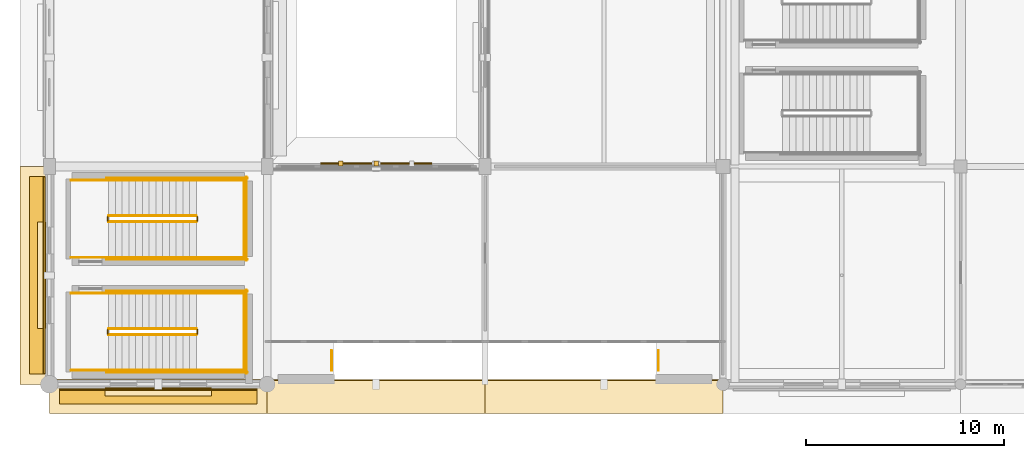
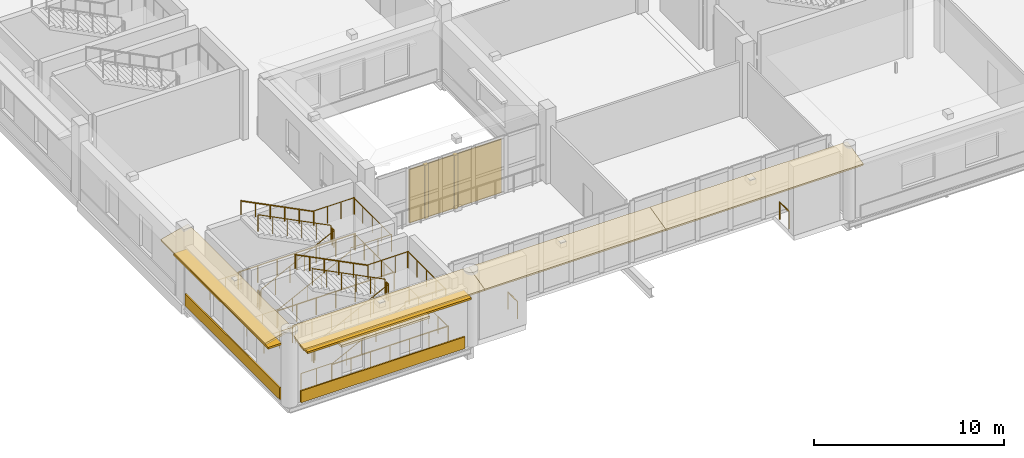
# One storey, part 117 of 143: 30 railings, 10 coverings, 3 shading devices.
"""IFC4 building model written with IfcOpenShell, lengths in metres."""

import ifcopenshell
import ifcopenshell.guid

model = None  # the IFC model being written
_history = None  # IfcOwnerHistory: only IFC2X3 demands one
_inside = {}  # id of a spatial element -> (the spatial element, [elements in it])
_under = {}  # id of a project, library or spatial element -> (it, [spatial elements below it])
_declared = {}  # id of a project -> (the project, [libraries it declares])
_typed = {}  # id of a type object -> (the type object, [elements of that type])
_made_of = {}  # id of a material, layer set ... -> (it, [elements and type objects made of it])


def new_model(schema):
    """Start an empty IFC model of exactly this schema.

    Asked for "IFC4X3", IfcOpenShell would pick the latest addendum, in which some entities
    have other attributes; the version numbers below select the first issue.
    IFC2X3 requires an IfcOwnerHistory on every rooted entity: one is made here for all.
    """
    global model, _history
    if schema == "IFC4X3":
        model = ifcopenshell.file(schema_version=(4, 3, 0, 0))
    else:
        model = ifcopenshell.file(schema=schema)
    _inside.clear()
    _under.clear()
    _declared.clear()
    _typed.clear()
    _made_of.clear()
    _history = None
    if model.schema == "IFC2X3":
        org = make("IfcOrganization", Name="unknown")
        user = make(
            "IfcPersonAndOrganization",
            ThePerson=make("IfcPerson", FamilyName="unknown"),
            TheOrganization=org,
        )
        app = make(
            "IfcApplication",
            ApplicationDeveloper=org,
            Version="unknown",
            ApplicationFullName="unknown",
            ApplicationIdentifier="unknown",
        )
        _history = make(
            "IfcOwnerHistory",
            OwningUser=user,
            OwningApplication=app,
            ChangeAction="ADDED",
            CreationDate=0,
        )
    return model


def make(cls, **values):
    """One entity of the class cls with the attributes given. An attribute that is None is left unset."""
    return model.create_entity(
        cls, **{name: value for name, value in values.items() if value is not None}
    )


def rooted(cls, **values):
    """An entity with a GlobalId (a new one), such as an element, a storey or a relation."""
    return make(cls, GlobalId=ifcopenshell.guid.new(), OwnerHistory=_history, **values)


def si_unit(unit_type, name, prefix=None):
    """IfcSIUnit, for example si_unit("LENGTHUNIT", "METRE", prefix="MILLI")."""
    return make("IfcSIUnit", UnitType=unit_type, Prefix=prefix, Name=name)


def assignment(units):
    """IfcUnitAssignment: the units of a project."""
    return None if units is None else make("IfcUnitAssignment", Units=units)


def point(xyz):
    """IfcCartesianPoint."""
    return None if xyz is None else make("IfcCartesianPoint", Coordinates=xyz)


def direction(xyz):
    """IfcDirection."""
    return None if xyz is None else make("IfcDirection", DirectionRatios=xyz)


def frame(location, z_axis=None, x_axis=None):
    """IfcAxis2Placement3D, a coordinate frame: its origin and axes. An axis left out is left unset."""
    return make(
        "IfcAxis2Placement3D",
        Location=point(location),
        Axis=direction(z_axis),
        RefDirection=direction(x_axis),
    )


def frame_2d(location, x_axis=None):
    """IfcAxis2Placement2D, a coordinate frame in the plane: its origin and x axis."""
    return make(
        "IfcAxis2Placement2D", Location=point(location), RefDirection=direction(x_axis)
    )


def origin():
    """The frame at (0, 0, 0) with its axes left unset."""
    return frame((0.0, 0.0, 0.0))


def origin_2d():
    """The frame at (0, 0) in the plane with its x axis left unset."""
    return frame_2d((0.0, 0.0))


def place(relative_to, where):
    """IfcLocalPlacement: puts the frame where relative to a parent placement (None: the world)."""
    return make(
        "IfcLocalPlacement", PlacementRelTo=relative_to, RelativePlacement=where
    )


def context(
    kind, dimensions, precision=None, world=None, true_north=None, identifier=None
):
    """IfcGeometricRepresentationContext, for example the 3D "Model" context."""
    return make(
        "IfcGeometricRepresentationContext",
        ContextIdentifier=identifier,
        ContextType=kind,
        CoordinateSpaceDimension=dimensions,
        Precision=precision,
        WorldCoordinateSystem=world,
        TrueNorth=true_north,
    )


def subcontext(parent, identifier, kind, view, scale=None):
    """IfcGeometricRepresentationSubContext, for example "Body" below "Model"."""
    return make(
        "IfcGeometricRepresentationSubContext",
        ContextIdentifier=identifier,
        ContextType=kind,
        ParentContext=parent,
        TargetScale=scale,
        TargetView=view,
    )


def project(units=None, contexts=None):
    """IfcProject with its units and contexts."""
    return rooted(
        "IfcProject",
        Name="project",
        RepresentationContexts=contexts,
        UnitsInContext=assignment(units),
    )


def spatial(cls, under=None, at=None, **own):
    """A site, building, storey or space (cls), placed at a placement, below another one or the project."""
    s = rooted(cls, ObjectPlacement=at, **own)
    if under is not None:
        _under.setdefault(under.id(), (under, []))[1].append(s)
    return s


def polyline(points):
    """IfcPolyline through the points."""
    return make("IfcPolyline", Points=[point(p) for p in points])


def profile(cls, at=None, kind="AREA", **sizes):
    """A parametric profile (cls). Its sizes go by their IFC names, for example OverallWidth=200.0."""
    return make(cls, ProfileType=kind, Position=at, **sizes)


def rectangle(**sizes):
    """IfcRectangleProfileDef."""
    return profile("IfcRectangleProfileDef", **sizes)


def circle(**sizes):
    """IfcCircleProfileDef."""
    return profile("IfcCircleProfileDef", **sizes)


def outline(outer, holes=None, kind="AREA"):
    """IfcArbitraryClosedProfileDef: a profile drawn as a closed curve; with holes, ...WithVoids."""
    if holes is None:
        return make("IfcArbitraryClosedProfileDef", ProfileType=kind, OuterCurve=outer)
    return make(
        "IfcArbitraryProfileDefWithVoids",
        ProfileType=kind,
        OuterCurve=outer,
        InnerCurves=holes,
    )


def extrude(swept, where, along, depth):
    """IfcExtrudedAreaSolid: the profile swept, set in the frame where, extruded along a direction by depth."""
    return make(
        "IfcExtrudedAreaSolid",
        SweptArea=swept,
        Position=where,
        ExtrudedDirection=direction(along),
        Depth=depth,
    )


def shape(context_of_items, identifier, shape_type, items):
    """IfcShapeRepresentation: the items that make up one representation, for example the "Body"."""
    return make(
        "IfcShapeRepresentation",
        ContextOfItems=context_of_items,
        RepresentationIdentifier=identifier,
        RepresentationType=shape_type,
        Items=items,
    )


def material(Name=None, Category=None):
    """IfcMaterial."""
    return make("IfcMaterial", Name=Name, Category=Category)


def layer(
    of_material, thickness, ventilated=None, Name=None, Category=None, Priority=None
):
    """IfcMaterialLayer: one layer of a wall or slab, of a material (None: an air gap)."""
    return make(
        "IfcMaterialLayer",
        Material=of_material,
        LayerThickness=thickness,
        IsVentilated=ventilated,
        Name=Name,
        Category=Category,
        Priority=Priority,
    )


def layer_set(layers, Name=None):
    """IfcMaterialLayerSet."""
    return make("IfcMaterialLayerSet", MaterialLayers=layers, LayerSetName=Name)


def made_of(thing, what):
    """Note that an element or type object is made of a material, layer set ...; save() writes the relation."""
    if what is not None:
        _made_of.setdefault(what.id(), (what, []))[1].append(thing)
    return thing


def type_object(cls, material=None, **own):
    """A type object (cls), such as IfcWallType, which elements share."""
    return made_of(rooted(cls, **own), material)


def element(
    cls,
    number,
    at=None,
    inside=None,
    cuts=None,
    type_object=None,
    material=None,
    context=None,
    identifier="Body",
    shape_type=None,
    held_by="IfcProductDefinitionShape",
    body=None,
    shapes=None,
    **own,
):
    """One element of the class cls, such as IfcWall. Its Tag is "e" and its number.

    at: its placement. inside: the storey or other place that contains it. cuts: it is an
    opening in that element (IfcRelVoidsElement). A single representation is given by context,
    identifier, shape_type and body (its items); several are given by shapes. held_by: the class
    of the entity that holds the representations. save() writes the other relations.
    """
    e = rooted(cls, Tag="e%d" % number, ObjectPlacement=at, **own)
    if body is not None:
        shapes = [shape(context, identifier, shape_type, body)]
    if shapes is not None:
        e.Representation = make(held_by, Representations=shapes)
    if inside is not None:
        _inside.setdefault(inside.id(), (inside, []))[1].append(e)
    if cuts is not None:
        rooted(
            "IfcRelVoidsElement", RelatingBuildingElement=cuts, RelatedOpeningElement=e
        )
    if type_object is not None:
        _typed.setdefault(type_object.id(), (type_object, []))[1].append(e)
    return made_of(e, material)


def aggregate(whole, parts):
    """IfcRelAggregates: a whole, such as a stair, and the parts it consists of."""
    return rooted("IfcRelAggregates", RelatingObject=whole, RelatedObjects=parts)


def save(model, path):
    """Write the relations noted so far, then the file.

    IfcRelAggregates (storeys below a building ...), IfcRelContainedInSpatialStructure (elements
    in a storey), IfcRelDefinesByType, IfcRelAssociatesMaterial and IfcRelDeclares: one each for
    every whole, place, type object, material and project.
    """
    for whole, parts in _under.values():
        aggregate(whole, parts)
    for where, things in _inside.values():
        rooted(
            "IfcRelContainedInSpatialStructure",
            RelatedElements=things,
            RelatingStructure=where,
        )
    for kind, things in _typed.values():
        rooted("IfcRelDefinesByType", RelatedObjects=things, RelatingType=kind)
    for what, things in _made_of.values():
        rooted("IfcRelAssociatesMaterial", RelatedObjects=things, RelatingMaterial=what)
    for by, libraries in _declared.values():
        rooted("IfcRelDeclares", RelatingContext=by, RelatedDefinitions=libraries)
    model.write(path)


model = new_model("IFC4")

# Units and contexts
model_context = context("Model", 3, precision=1e-05, world=origin(), true_north=direction((0.0, 1.0)))
body_context = subcontext(model_context, "Body", "Model", "MODEL_VIEW")
ifc_project = project(units=[si_unit("LENGTHUNIT", "METRE"), si_unit("AREAUNIT", "SQUARE_METRE"), si_unit("VOLUMEUNIT", "CUBIC_METRE"), si_unit("PLANEANGLEUNIT", "RADIAN"), si_unit("MASSUNIT", "GRAM", prefix="KILO")], contexts=[model_context])

# Site, building, storey
site_placement = place(None, origin())
site = spatial("IfcSite", under=ifc_project, at=site_placement, CompositionType="ELEMENT")
building_placement = place(site_placement, origin())
building = spatial("IfcBuilding", under=site, at=building_placement, Name="Luwafu Chhajja Arena", CompositionType="ELEMENT")
storey_placement = place(building_placement, frame((0.0, 0.0, 5.39990234375)))
storey = spatial("IfcBuildingStorey", under=building, at=storey_placement, Name="L01", CompositionType="ELEMENT", Elevation=5.39990234375)

# Coverings
ifc_material_1 = material(Name="Red laterite sandstone cladding", Category="masonry")
ifc_layer_1 = layer(ifc_material_1, 0.074951171875, Name="Red laterite sandstone cladding")
ifc_layer_set_1 = layer_set([ifc_layer_1], Name="Red laterite sandstone cladding")
covering_type = type_object("IfcCoveringType", Name="Dressed Red-Laterite Sandstone Cladding", PredefinedType="CLADDING", material=ifc_layer_set_1)
covering_1_placement = place(storey_placement, frame((0.0, 0.199951171875, 4.760009765625), z_axis=(0.0, -0.242502450825, 0.970150793096), x_axis=(1.0, 0.0, 0.0)))
element("IfcCovering", 1, at=covering_1_placement, inside=storey, type_object=covering_type, Name="L01 Continuous Sloped Sandstone Chhajja Eave 0057", PredefinedType="CLADDING", context=body_context, shape_type="SweptSolid", body=[
    extrude(outline(polyline([(0.0, 0.0), (11.0, 0.0), (11.0, -1.731619097341133), (0.0, -1.731619097341133), (0.0, 0.0)])), origin(), (0.0, 0.0, -1.0), 0.1298828125),
])
covering_2_placement = place(storey_placement, frame((5.5, -0.257080078125, 0.0), z_axis=(0.0, 0.0, 1.0), x_axis=(1.0, 0.0, 0.0)))
element("IfcCovering", 2, at=covering_2_placement, inside=storey, type_object=covering_type, Name="L01 Red-Laterite Sandstone Plinth Cladding 001", PredefinedType="CLADDING", context=body_context, shape_type="SweptSolid", body=[
    extrude(rectangle(XDim=9.9599609375, YDim=0.0849609375, at=origin_2d()), origin(), (0.0, 0.0, 1.0), 0.760009765625),
])
covering_3_placement = place(storey_placement, frame((5.5, -0.385009765625, 2.93017578125), z_axis=(0.0, 0.0, 1.0), x_axis=(1.0, 0.0, 0.0)))
element("IfcCovering", 3, at=covering_3_placement, inside=storey, type_object=covering_type, Name="L01 Mughal Sandstone Window Chhajja Hood 0001", PredefinedType="CLADDING", context=body_context, shape_type="SweptSolid", body=[
    extrude(rectangle(XDim=5.3701171875, YDim=0.419921875, at=origin_2d()), origin(), (0.0, 0.0, 1.0), 0.139892578125),
])
covering_4_placement = place(storey_placement, frame((0.199951171875, 0.0, 4.760009765625), z_axis=(-0.242502450825, 0.0, 0.970150793096), x_axis=(0.0, 1.0, 0.0)))
element("IfcCovering", 4, at=covering_4_placement, inside=storey, type_object=covering_type, Name="L01 Continuous Sloped Sandstone Chhajja Eave 0058", PredefinedType="CLADDING", context=body_context, shape_type="SweptSolid", body=[
    extrude(outline(polyline([(0.0, 0.0), (11.0, 0.0), (11.0, 1.731619097341133), (0.0, 1.731619097341133), (0.0, 0.0)])), origin(), (0.0, 0.0, -1.0), 0.1298828125),
])
covering_5_placement = place(storey_placement, frame((-0.257080078125, 5.5, 0.0), z_axis=(0.0, 0.0, 1.0), x_axis=(0.0, 1.0, 0.0)))
element("IfcCovering", 5, at=covering_5_placement, inside=storey, type_object=covering_type, Name="L01 Red-Laterite Sandstone Plinth Cladding 002", PredefinedType="CLADDING", context=body_context, shape_type="SweptSolid", body=[
    extrude(rectangle(XDim=9.9599609375, YDim=0.0849609375, at=origin_2d()), origin(), (0.0, 0.0, 1.0), 0.760009765625),
])
covering_6_placement = place(storey_placement, frame((-0.385009765625, 5.5, 2.93017578125), z_axis=(0.0, 0.0, 1.0), x_axis=(0.0, 1.0, 0.0)))
element("IfcCovering", 6, at=covering_6_placement, inside=storey, type_object=covering_type, Name="L01 Mughal Sandstone Window Chhajja Hood 0002", PredefinedType="CLADDING", context=body_context, shape_type="SweptSolid", body=[
    extrude(rectangle(XDim=5.3701171875, YDim=0.419921875, at=origin_2d()), origin(), (0.0, 0.0, 1.0), 0.139892578125),
])
covering_7_placement = place(storey_placement, frame((11.0, 0.199951171875, 4.760009765625), z_axis=(0.0, -0.242502450825, 0.970150793096), x_axis=(1.0, 0.0, 0.0)))
element("IfcCovering", 7, at=covering_7_placement, inside=storey, type_object=covering_type, Name="L01 Continuous Sloped Sandstone Chhajja Eave 0072", PredefinedType="CLADDING", context=body_context, shape_type="SweptSolid", body=[
    extrude(outline(polyline([(0.0, 0.0), (11.0, 0.0), (11.0, -1.731619097341133), (0.0, -1.731619097341133), (0.0, 0.0)])), origin(), (0.0, 0.0, -1.0), 0.1298828125),
])
for number, where, z_axis, x_axis, name in (
    (8, (14.7080078125, 11.14990234375, 0.000244140625), (0.0, 0.0, 1.0), (1.0, 0.0, 0.0), "L01 Sandstone Jali Mullion Fin 006"),
    (9, (16.5, 11.14990234375, 0.000244140625), (0.0, 0.0, 1.0), (1.0, 0.0, 0.0), "L01 Sandstone Jali Mullion Fin 006"),
):
    element("IfcCovering", number, at=place(storey_placement, frame(where, z_axis=z_axis, x_axis=x_axis)), inside=storey, type_object=covering_type, Name=name, PredefinedType="CLADDING", context=body_context, shape_type="SweptSolid", body=[
        extrude(rectangle(XDim=0.219970703125, YDim=0.239990234375, at=origin_2d()), origin(), (0.0, 0.0, 1.0), 3.43994140625),
    ])
covering_8_placement = place(storey_placement, frame((22.0, 0.199951171875, 4.760009765625), z_axis=(0.0, -0.242502450825, 0.970150793096), x_axis=(1.0, 0.0, 0.0)))
element("IfcCovering", 10, at=covering_8_placement, inside=storey, type_object=covering_type, Name="L01 Continuous Sloped Sandstone Chhajja Eave 0078", PredefinedType="CLADDING", context=body_context, shape_type="SweptSolid", body=[
    extrude(outline(polyline([(0.0, 0.0), (12.0, 0.0), (12.0, -1.731619097341133), (0.0, -1.731619097341133), (0.0, 0.0)])), origin(), (0.0, 0.0, -1.0), 0.1298828125),
])

# Shading devices
ifc_material_2 = material(Name="Pierced buff sandstone jali", Category="masonry")
ifc_layer_2 = layer(ifc_material_2, 0.080078125, Name="Pierced buff sandstone jali")
ifc_layer_set_2 = layer_set([ifc_layer_2], Name="Pierced buff sandstone jali")
shading_device_type_1 = type_object("IfcShadingDeviceType", Name="Pierced Buff-Sandstone Jali Screen", PredefinedType="JALOUSIE", material=ifc_layer_set_2)
shading_device_placement = place(storey_placement, frame((16.5, 11.14990234375, 0.000244140625), z_axis=(0.0, 0.0, 1.0), x_axis=(1.0, 0.0, 0.0)))
element("IfcShadingDevice", 11, at=shading_device_placement, inside=storey, type_object=shading_device_type_1, Name="L01 Pierced Buff-Sandstone Jali Screen 006", PredefinedType="JALOUSIE", context=body_context, shape_type="SweptSolid", body=[
    extrude(rectangle(XDim=5.60009765625, YDim=0.080078125, at=origin_2d()), origin(), (0.0, 0.0, 1.0), 3.43994140625),
])
ifc_material_3 = material(Name="Red laterite sandstone chhajja", Category="masonry")
ifc_layer_3 = layer(ifc_material_3, 0.1201171875, Name="Red laterite sandstone chhajja")
ifc_layer_set_3 = layer_set([ifc_layer_3], Name="Red laterite sandstone chhajja")
shading_device_type_2 = type_object("IfcShadingDeviceType", Name="Sloped Red-Sandstone Chhajja Eave", PredefinedType="USERDEFINED", material=ifc_layer_set_3)
for number, where, z_axis, x_axis, name in (
    (12, (5.5, -0.5849609375, 3.570068359375), (0.0, 0.0, 1.0), (1.0, 0.0, 0.0), "L01 Sloped Red-Sandstone Chhajja Eave 031"),
    (13, (-0.5849609375, 5.5, 3.469970703125), (0.0, 0.0, 1.0), (0.0, 1.0, 0.0), "L01 Sloped Red-Sandstone Chhajja Eave 032"),
):
    element("IfcShadingDevice", number, at=place(storey_placement, frame(where, z_axis=z_axis, x_axis=x_axis)), inside=storey, type_object=shading_device_type_2, Name=name, ObjectType="CHHAJJA", PredefinedType="USERDEFINED", context=body_context, shape_type="SweptSolid", body=[
        extrude(rectangle(XDim=9.9599609375, YDim=0.820068359375, at=origin_2d()), origin(), (0.0, 0.0, 1.0), 0.1201171875),
    ])

# Railings
ifc_material_4 = material(Name="Stainless steel handrail", Category="steel")
railing_type_1 = type_object("IfcRailingType", Name="Stair Pitch Wall Handrail 920", PredefinedType="HANDRAIL", material=ifc_material_4)
railing_1_placement = place(storey_placement, frame((3.0, 0.699951171875, 0.171630859375)))
element("IfcRailing", 14, at=railing_1_placement, inside=storey, type_object=railing_type_1, Name="L01 ST-17 stair handrail 1", PredefinedType="HANDRAIL", context=body_context, shape_type="SweptSolid", body=[
    extrude(circle(Radius=0.02392578125, at=origin_2d()), frame((0.0, 0.0, 0.8759765625), z_axis=(0.89292277971, 0.0, 0.450209850486), x_axis=(0.0, 1.0, 0.0)), (0.0, 0.0, 1.0), 4.949951171875),
    extrude(circle(Radius=0.02099609375, at=origin_2d()), origin(), (0.0, 0.0, 1.0), 0.851806640625),
    extrude(circle(Radius=0.02099609375, at=origin_2d()), frame((0.884033203125, 0.0, 0.44580078125)), (0.0, 0.0, 1.0), 0.851806640625),
    extrude(circle(Radius=0.02099609375, at=origin_2d()), frame((1.76806640625, 0.0, 0.891357421875)), (0.0, 0.0, 1.0), 0.851806640625),
    extrude(circle(Radius=0.02099609375, at=origin_2d()), frame((2.65185546875, 0.0, 1.337158203125)), (0.0, 0.0, 1.0), 0.851806640625),
    extrude(circle(Radius=0.02099609375, at=origin_2d()), frame((3.535888671875, 0.0, 1.78271484375)), (0.0, 0.0, 1.0), 0.851806640625),
    extrude(circle(Radius=0.02099609375, at=origin_2d()), frame((4.419921875, 0.0, 2.228515625)), (0.0, 0.0, 1.0), 0.851806640625),
])
railing_2_placement = place(storey_placement, frame((7.419921875, 4.60009765625, 2.571533203125)))
element("IfcRailing", 15, at=railing_2_placement, inside=storey, type_object=railing_type_1, Name="L01 ST-17 stair handrail 2", PredefinedType="HANDRAIL", context=body_context, shape_type="SweptSolid", body=[
    extrude(circle(Radius=0.02392578125, at=origin_2d()), frame((0.0, 0.0, 0.8759765625), z_axis=(-0.89292277971, 0.0, 0.450209850486), x_axis=(0.0, -1.0, 0.0)), (0.0, 0.0, 1.0), 4.949951171875),
    extrude(circle(Radius=0.02099609375, at=origin_2d()), origin(), (0.0, 0.0, 1.0), 0.851806640625),
    extrude(circle(Radius=0.02099609375, at=origin_2d()), frame((-0.884033203125, 0.0, 0.44580078125)), (0.0, 0.0, 1.0), 0.851806640625),
    extrude(circle(Radius=0.02099609375, at=origin_2d()), frame((-1.76806640625, 0.0, 0.891357421875)), (0.0, 0.0, 1.0), 0.851806640625),
    extrude(circle(Radius=0.02099609375, at=origin_2d()), frame((-2.65185546875, 0.0, 1.337158203125)), (0.0, 0.0, 1.0), 0.851806640625),
    extrude(circle(Radius=0.02099609375, at=origin_2d()), frame((-3.535888671875, 0.0, 1.78271484375)), (0.0, 0.0, 1.0), 0.851806640625),
    extrude(circle(Radius=0.02099609375, at=origin_2d()), frame((-4.419921875, 0.0, 2.228515625)), (0.0, 0.0, 1.0), 0.851806640625),
])
railing_3_placement = place(storey_placement, frame((3.0, 6.39990234375, 0.171630859375)))
element("IfcRailing", 16, at=railing_3_placement, inside=storey, type_object=railing_type_1, Name="L01 ST-18 stair handrail 1", PredefinedType="HANDRAIL", context=body_context, shape_type="SweptSolid", body=[
    extrude(circle(Radius=0.02392578125, at=origin_2d()), frame((0.0, 0.0, 0.8759765625), z_axis=(0.89292277971, 0.0, 0.450209850486), x_axis=(0.0, 1.0, 0.0)), (0.0, 0.0, 1.0), 4.949951171875),
    extrude(circle(Radius=0.02099609375, at=origin_2d()), origin(), (0.0, 0.0, 1.0), 0.851806640625),
    extrude(circle(Radius=0.02099609375, at=origin_2d()), frame((0.884033203125, 0.0, 0.44580078125)), (0.0, 0.0, 1.0), 0.851806640625),
    extrude(circle(Radius=0.02099609375, at=origin_2d()), frame((1.76806640625, 0.0, 0.891357421875)), (0.0, 0.0, 1.0), 0.851806640625),
    extrude(circle(Radius=0.02099609375, at=origin_2d()), frame((2.65185546875, 0.0, 1.337158203125)), (0.0, 0.0, 1.0), 0.851806640625),
    extrude(circle(Radius=0.02099609375, at=origin_2d()), frame((3.535888671875, 0.0, 1.78271484375)), (0.0, 0.0, 1.0), 0.851806640625),
    extrude(circle(Radius=0.02099609375, at=origin_2d()), frame((4.419921875, 0.0, 2.228515625)), (0.0, 0.0, 1.0), 0.851806640625),
])
railing_4_placement = place(storey_placement, frame((7.419921875, 10.300048828125, 2.571533203125)))
element("IfcRailing", 17, at=railing_4_placement, inside=storey, type_object=railing_type_1, Name="L01 ST-18 stair handrail 2", PredefinedType="HANDRAIL", context=body_context, shape_type="SweptSolid", body=[
    extrude(circle(Radius=0.02392578125, at=origin_2d()), frame((0.0, 0.0, 0.8759765625), z_axis=(-0.89292277971, 0.0, 0.450209850486), x_axis=(0.0, -1.0, 0.0)), (0.0, 0.0, 1.0), 4.949951171875),
    extrude(circle(Radius=0.02099609375, at=origin_2d()), origin(), (0.0, 0.0, 1.0), 0.851806640625),
    extrude(circle(Radius=0.02099609375, at=origin_2d()), frame((-0.884033203125, 0.0, 0.44580078125)), (0.0, 0.0, 1.0), 0.851806640625),
    extrude(circle(Radius=0.02099609375, at=origin_2d()), frame((-1.76806640625, 0.0, 0.891357421875)), (0.0, 0.0, 1.0), 0.851806640625),
    extrude(circle(Radius=0.02099609375, at=origin_2d()), frame((-2.65185546875, 0.0, 1.337158203125)), (0.0, 0.0, 1.0), 0.851806640625),
    extrude(circle(Radius=0.02099609375, at=origin_2d()), frame((-3.535888671875, 0.0, 1.78271484375)), (0.0, 0.0, 1.0), 0.851806640625),
    extrude(circle(Radius=0.02099609375, at=origin_2d()), frame((-4.419921875, 0.0, 2.228515625)), (0.0, 0.0, 1.0), 0.851806640625),
])
ifc_material_5 = material(Name="Stainless steel balustrade", Category="steel")
railing_type_2 = type_object("IfcRailingType", Name="Stair and Terrace Guard Balustrade 1100", PredefinedType="BALUSTRADE", material=ifc_material_5)
railing_5_placement = place(storey_placement, frame((3.0, 2.5, 0.171630859375)))
element("IfcRailing", 18, at=railing_5_placement, inside=storey, type_object=railing_type_2, Name="L01 ST-17 stair guard 1", PredefinedType="BALUSTRADE", context=body_context, shape_type="SweptSolid", body=[
    extrude(circle(Radius=0.02392578125, at=origin_2d()), frame((0.0, 0.0, 1.076171875), z_axis=(0.89292277971, 0.0, 0.450209850486), x_axis=(0.0, 1.0, 0.0)), (0.0, 0.0, 1.0), 4.949951171875),
    extrude(circle(Radius=0.02099609375, at=origin_2d()), origin(), (0.0, 0.0, 1.0), 1.052001953125),
    extrude(circle(Radius=0.02099609375, at=origin_2d()), frame((0.884033203125, 0.0, 0.44580078125)), (0.0, 0.0, 1.0), 1.052001953125),
    extrude(circle(Radius=0.02099609375, at=origin_2d()), frame((1.76806640625, 0.0, 0.891357421875)), (0.0, 0.0, 1.0), 1.052001953125),
    extrude(circle(Radius=0.02099609375, at=origin_2d()), frame((2.65185546875, 0.0, 1.337158203125)), (0.0, 0.0, 1.0), 1.052001953125),
    extrude(circle(Radius=0.02099609375, at=origin_2d()), frame((3.535888671875, 0.0, 1.78271484375)), (0.0, 0.0, 1.0), 1.052001953125),
    extrude(circle(Radius=0.02099609375, at=origin_2d()), frame((4.419921875, 0.0, 2.228515625)), (0.0, 0.0, 1.0), 1.052001953125),
])
railing_6_placement = place(storey_placement, frame((7.469970703125, 2.550048828125, 2.400146484375)))
element("IfcRailing", 19, at=railing_6_placement, inside=storey, type_object=railing_type_2, Name="L01 ST-17 stair guard 2", PredefinedType="BALUSTRADE", context=body_context, shape_type="SweptSolid", body=[
    extrude(circle(Radius=0.02392578125, at=origin_2d()), frame((0.0, 0.0, 1.076171875), z_axis=(0.0, 1.0, 0.0), x_axis=(-1.0, 0.0, 0.0)), (0.0, 0.0, 1.0), 0.199951171875),
    extrude(circle(Radius=0.02099609375, at=origin_2d()), origin(), (0.0, 0.0, 1.0), 1.052001953125),
    extrude(circle(Radius=0.02099609375, at=origin_2d()), frame((0.0, 0.199951171875, 0.0)), (0.0, 0.0, 1.0), 1.052001953125),
])
for number, where, name in (
    (20, (7.419921875, 0.699951171875, 2.400146484375), "L01 ST-17 stair guard 3"),
    (21, (7.419921875, 4.60009765625, 2.400146484375), "L01 ST-17 stair guard 4"),
):
    element("IfcRailing", number, at=place(storey_placement, frame(where)), inside=storey, type_object=railing_type_2, Name=name, PredefinedType="BALUSTRADE", context=body_context, shape_type="SweptSolid", body=[
        extrude(circle(Radius=0.02392578125, at=origin_2d()), frame((0.0, 0.0, 1.076171875), z_axis=(1.0, 0.0, 0.0), x_axis=(0.0, 1.0, 0.0)), (0.0, 0.0, 1.0), 2.47998046875),
        extrude(circle(Radius=0.02099609375, at=origin_2d()), origin(), (0.0, 0.0, 1.0), 1.052001953125),
        extrude(circle(Radius=0.02099609375, at=origin_2d()), frame((0.82666015625, 0.0, 0.0)), (0.0, 0.0, 1.0), 1.052001953125),
        extrude(circle(Radius=0.02099609375, at=origin_2d()), frame((1.6533203125, 0.0, 0.0)), (0.0, 0.0, 1.0), 1.052001953125),
        extrude(circle(Radius=0.02099609375, at=origin_2d()), frame((2.47998046875, 0.0, 0.0)), (0.0, 0.0, 1.0), 1.052001953125),
    ])
railing_7_placement = place(storey_placement, frame((9.85009765625, 0.64990234375, 2.400146484375)))
element("IfcRailing", 22, at=railing_7_placement, inside=storey, type_object=railing_type_2, Name="L01 ST-17 stair guard 5", PredefinedType="BALUSTRADE", context=body_context, shape_type="SweptSolid", body=[
    extrude(circle(Radius=0.02392578125, at=origin_2d()), frame((0.0, 0.0, 1.076171875), z_axis=(0.0, 1.0, 0.0), x_axis=(-1.0, 0.0, 0.0)), (0.0, 0.0, 1.0), 4.0),
    extrude(circle(Radius=0.02099609375, at=origin_2d()), origin(), (0.0, 0.0, 1.0), 1.052001953125),
    extrude(circle(Radius=0.02099609375, at=origin_2d()), frame((0.0, 1.0, 0.0)), (0.0, 0.0, 1.0), 1.052001953125),
    extrude(circle(Radius=0.02099609375, at=origin_2d()), frame((0.0, 2.0, 0.0)), (0.0, 0.0, 1.0), 1.052001953125),
    extrude(circle(Radius=0.02099609375, at=origin_2d()), frame((0.0, 3.0, 0.0)), (0.0, 0.0, 1.0), 1.052001953125),
    extrude(circle(Radius=0.02099609375, at=origin_2d()), frame((0.0, 4.0, 0.0)), (0.0, 0.0, 1.0), 1.052001953125),
])
railing_8_placement = place(storey_placement, frame((7.419921875, 2.800048828125, 2.571533203125)))
element("IfcRailing", 23, at=railing_8_placement, inside=storey, type_object=railing_type_2, Name="L01 ST-17 stair guard 6", PredefinedType="BALUSTRADE", context=body_context, shape_type="SweptSolid", body=[
    extrude(circle(Radius=0.02392578125, at=origin_2d()), frame((0.0, 0.0, 1.076171875), z_axis=(-0.89292277971, 0.0, 0.450209850486), x_axis=(0.0, -1.0, 0.0)), (0.0, 0.0, 1.0), 4.949951171875),
    extrude(circle(Radius=0.02099609375, at=origin_2d()), origin(), (0.0, 0.0, 1.0), 1.052001953125),
    extrude(circle(Radius=0.02099609375, at=origin_2d()), frame((-0.884033203125, 0.0, 0.44580078125)), (0.0, 0.0, 1.0), 1.052001953125),
    extrude(circle(Radius=0.02099609375, at=origin_2d()), frame((-1.76806640625, 0.0, 0.891357421875)), (0.0, 0.0, 1.0), 1.052001953125),
    extrude(circle(Radius=0.02099609375, at=origin_2d()), frame((-2.65185546875, 0.0, 1.337158203125)), (0.0, 0.0, 1.0), 1.052001953125),
    extrude(circle(Radius=0.02099609375, at=origin_2d()), frame((-3.535888671875, 0.0, 1.78271484375)), (0.0, 0.0, 1.0), 1.052001953125),
    extrude(circle(Radius=0.02099609375, at=origin_2d()), frame((-4.419921875, 0.0, 2.228515625)), (0.0, 0.0, 1.0), 1.052001953125),
])
railing_9_placement = place(storey_placement, frame((2.949951171875, 2.550048828125, 0.0)))
element("IfcRailing", 24, at=railing_9_placement, inside=storey, type_object=railing_type_2, Name="L01 ST-17 stair guard 7", PredefinedType="BALUSTRADE", context=body_context, shape_type="SweptSolid", body=[
    extrude(circle(Radius=0.02392578125, at=origin_2d()), frame((0.0, 0.0, 1.076171875), z_axis=(0.0, 1.0, 0.0), x_axis=(-1.0, 0.0, 0.0)), (0.0, 0.0, 1.0), 0.199951171875),
    extrude(circle(Radius=0.02099609375, at=origin_2d()), origin(), (0.0, 0.0, 1.0), 1.052001953125),
    extrude(circle(Radius=0.02099609375, at=origin_2d()), frame((0.0, 0.199951171875, 0.0)), (0.0, 0.0, 1.0), 1.052001953125),
])
for number, where, name in (
    (25, (1.10009765625, 0.699951171875, 0.0), "L01 ST-17 stair guard 8"),
    (26, (1.10009765625, 4.60009765625, 0.0), "L01 ST-17 stair guard 9"),
):
    element("IfcRailing", number, at=place(storey_placement, frame(where)), inside=storey, type_object=railing_type_2, Name=name, PredefinedType="BALUSTRADE", context=body_context, shape_type="SweptSolid", body=[
        extrude(circle(Radius=0.02392578125, at=origin_2d()), frame((0.0, 0.0, 1.076171875), z_axis=(1.0, 0.0, 0.0), x_axis=(0.0, 1.0, 0.0)), (0.0, 0.0, 1.0), 1.89990234375),
        extrude(circle(Radius=0.02099609375, at=origin_2d()), origin(), (0.0, 0.0, 1.0), 1.052001953125),
        extrude(circle(Radius=0.02099609375, at=origin_2d()), frame((0.949951171875, 0.0, 0.0)), (0.0, 0.0, 1.0), 1.052001953125),
        extrude(circle(Radius=0.02099609375, at=origin_2d()), frame((1.89990234375, 0.0, 0.0)), (0.0, 0.0, 1.0), 1.052001953125),
    ])
for number, where, name in (
    (27, (2.89990234375, 0.60009765625, 0.0), "L01 ST-17 stair guard 10"),
    (28, (2.89990234375, 4.699951171875, 0.0), "L01 ST-17 stair guard 11"),
):
    element("IfcRailing", number, at=place(storey_placement, frame(where)), inside=storey, type_object=railing_type_2, Name=name, PredefinedType="BALUSTRADE", context=body_context, shape_type="SweptSolid", body=[
        extrude(circle(Radius=0.02392578125, at=origin_2d()), frame((0.0, 0.0, 1.076171875), z_axis=(1.0, 0.0, 0.0), x_axis=(0.0, 1.0, 0.0)), (0.0, 0.0, 1.0), 7.10009765625),
        extrude(circle(Radius=0.02099609375, at=origin_2d()), origin(), (0.0, 0.0, 1.0), 1.052001953125),
        extrude(circle(Radius=0.02099609375, at=origin_2d()), frame((1.183349609375, 0.0, 0.0)), (0.0, 0.0, 1.0), 1.052001953125),
        extrude(circle(Radius=0.02099609375, at=origin_2d()), frame((2.36669921875, 0.0, 0.0)), (0.0, 0.0, 1.0), 1.052001953125),
        extrude(circle(Radius=0.02099609375, at=origin_2d()), frame((3.550048828125, 0.0, 0.0)), (0.0, 0.0, 1.0), 1.052001953125),
        extrude(circle(Radius=0.02099609375, at=origin_2d()), frame((4.7333984375, 0.0, 0.0)), (0.0, 0.0, 1.0), 1.052001953125),
        extrude(circle(Radius=0.02099609375, at=origin_2d()), frame((5.916748046875, 0.0, 0.0)), (0.0, 0.0, 1.0), 1.052001953125),
        extrude(circle(Radius=0.02099609375, at=origin_2d()), frame((7.10009765625, 0.0, 0.0)), (0.0, 0.0, 1.0), 1.052001953125),
    ])
railing_10_placement = place(storey_placement, frame((9.949951171875, 0.550048828125, 0.0)))
element("IfcRailing", 29, at=railing_10_placement, inside=storey, type_object=railing_type_2, Name="L01 ST-17 stair guard 12", PredefinedType="BALUSTRADE", context=body_context, shape_type="SweptSolid", body=[
    extrude(circle(Radius=0.02392578125, at=origin_2d()), frame((0.0, 0.0, 1.076171875), z_axis=(0.0, 1.0, 0.0), x_axis=(-1.0, 0.0, 0.0)), (0.0, 0.0, 1.0), 4.199951171875),
    extrude(circle(Radius=0.02099609375, at=origin_2d()), origin(), (0.0, 0.0, 1.0), 1.052001953125),
    extrude(circle(Radius=0.02099609375, at=origin_2d()), frame((0.0, 1.050048828125, 0.0)), (0.0, 0.0, 1.0), 1.052001953125),
    extrude(circle(Radius=0.02099609375, at=origin_2d()), frame((0.0, 2.10009765625, 0.0)), (0.0, 0.0, 1.0), 1.052001953125),
    extrude(circle(Radius=0.02099609375, at=origin_2d()), frame((0.0, 3.14990234375, 0.0)), (0.0, 0.0, 1.0), 1.052001953125),
    extrude(circle(Radius=0.02099609375, at=origin_2d()), frame((0.0, 4.199951171875, 0.0)), (0.0, 0.0, 1.0), 1.052001953125),
])
railing_11_placement = place(storey_placement, frame((3.0, 8.199951171875, 0.171630859375)))
element("IfcRailing", 30, at=railing_11_placement, inside=storey, type_object=railing_type_2, Name="L01 ST-18 stair guard 1", PredefinedType="BALUSTRADE", context=body_context, shape_type="SweptSolid", body=[
    extrude(circle(Radius=0.02392578125, at=origin_2d()), frame((0.0, 0.0, 1.076171875), z_axis=(0.89292277971, 0.0, 0.450209850486), x_axis=(0.0, 1.0, 0.0)), (0.0, 0.0, 1.0), 4.949951171875),
    extrude(circle(Radius=0.02099609375, at=origin_2d()), origin(), (0.0, 0.0, 1.0), 1.052001953125),
    extrude(circle(Radius=0.02099609375, at=origin_2d()), frame((0.884033203125, 0.0, 0.44580078125)), (0.0, 0.0, 1.0), 1.052001953125),
    extrude(circle(Radius=0.02099609375, at=origin_2d()), frame((1.76806640625, 0.0, 0.891357421875)), (0.0, 0.0, 1.0), 1.052001953125),
    extrude(circle(Radius=0.02099609375, at=origin_2d()), frame((2.65185546875, 0.0, 1.337158203125)), (0.0, 0.0, 1.0), 1.052001953125),
    extrude(circle(Radius=0.02099609375, at=origin_2d()), frame((3.535888671875, 0.0, 1.78271484375)), (0.0, 0.0, 1.0), 1.052001953125),
    extrude(circle(Radius=0.02099609375, at=origin_2d()), frame((4.419921875, 0.0, 2.228515625)), (0.0, 0.0, 1.0), 1.052001953125),
])
railing_12_placement = place(storey_placement, frame((7.469970703125, 8.25, 2.400146484375)))
element("IfcRailing", 31, at=railing_12_placement, inside=storey, type_object=railing_type_2, Name="L01 ST-18 stair guard 2", PredefinedType="BALUSTRADE", context=body_context, shape_type="SweptSolid", body=[
    extrude(circle(Radius=0.02392578125, at=origin_2d()), frame((0.0, 0.0, 1.076171875), z_axis=(0.0, 1.0, 0.0), x_axis=(-1.0, 0.0, 0.0)), (0.0, 0.0, 1.0), 0.199951171875),
    extrude(circle(Radius=0.02099609375, at=origin_2d()), origin(), (0.0, 0.0, 1.0), 1.052001953125),
    extrude(circle(Radius=0.02099609375, at=origin_2d()), frame((0.0, 0.199951171875, 0.0)), (0.0, 0.0, 1.0), 1.052001953125),
])
for number, where, name in (
    (32, (7.419921875, 6.39990234375, 2.400146484375), "L01 ST-18 stair guard 3"),
    (33, (7.419921875, 10.300048828125, 2.400146484375), "L01 ST-18 stair guard 4"),
):
    element("IfcRailing", number, at=place(storey_placement, frame(where)), inside=storey, type_object=railing_type_2, Name=name, PredefinedType="BALUSTRADE", context=body_context, shape_type="SweptSolid", body=[
        extrude(circle(Radius=0.02392578125, at=origin_2d()), frame((0.0, 0.0, 1.076171875), z_axis=(1.0, 0.0, 0.0), x_axis=(0.0, 1.0, 0.0)), (0.0, 0.0, 1.0), 2.47998046875),
        extrude(circle(Radius=0.02099609375, at=origin_2d()), origin(), (0.0, 0.0, 1.0), 1.052001953125),
        extrude(circle(Radius=0.02099609375, at=origin_2d()), frame((0.82666015625, 0.0, 0.0)), (0.0, 0.0, 1.0), 1.052001953125),
        extrude(circle(Radius=0.02099609375, at=origin_2d()), frame((1.6533203125, 0.0, 0.0)), (0.0, 0.0, 1.0), 1.052001953125),
        extrude(circle(Radius=0.02099609375, at=origin_2d()), frame((2.47998046875, 0.0, 0.0)), (0.0, 0.0, 1.0), 1.052001953125),
    ])
railing_13_placement = place(storey_placement, frame((9.85009765625, 6.35009765625, 2.400146484375)))
element("IfcRailing", 34, at=railing_13_placement, inside=storey, type_object=railing_type_2, Name="L01 ST-18 stair guard 5", PredefinedType="BALUSTRADE", context=body_context, shape_type="SweptSolid", body=[
    extrude(circle(Radius=0.02392578125, at=origin_2d()), frame((0.0, 0.0, 1.076171875), z_axis=(0.0, 1.0, 0.0), x_axis=(-1.0, 0.0, 0.0)), (0.0, 0.0, 1.0), 4.0),
    extrude(circle(Radius=0.02099609375, at=origin_2d()), origin(), (0.0, 0.0, 1.0), 1.052001953125),
    extrude(circle(Radius=0.02099609375, at=origin_2d()), frame((0.0, 1.0, 0.0)), (0.0, 0.0, 1.0), 1.052001953125),
    extrude(circle(Radius=0.02099609375, at=origin_2d()), frame((0.0, 2.0, 0.0)), (0.0, 0.0, 1.0), 1.052001953125),
    extrude(circle(Radius=0.02099609375, at=origin_2d()), frame((0.0, 3.0, 0.0)), (0.0, 0.0, 1.0), 1.052001953125),
    extrude(circle(Radius=0.02099609375, at=origin_2d()), frame((0.0, 4.0, 0.0)), (0.0, 0.0, 1.0), 1.052001953125),
])
railing_14_placement = place(storey_placement, frame((7.419921875, 8.5, 2.571533203125)))
element("IfcRailing", 35, at=railing_14_placement, inside=storey, type_object=railing_type_2, Name="L01 ST-18 stair guard 6", PredefinedType="BALUSTRADE", context=body_context, shape_type="SweptSolid", body=[
    extrude(circle(Radius=0.02392578125, at=origin_2d()), frame((0.0, 0.0, 1.076171875), z_axis=(-0.89292277971, 0.0, 0.450209850486), x_axis=(0.0, -1.0, 0.0)), (0.0, 0.0, 1.0), 4.949951171875),
    extrude(circle(Radius=0.02099609375, at=origin_2d()), origin(), (0.0, 0.0, 1.0), 1.052001953125),
    extrude(circle(Radius=0.02099609375, at=origin_2d()), frame((-0.884033203125, 0.0, 0.44580078125)), (0.0, 0.0, 1.0), 1.052001953125),
    extrude(circle(Radius=0.02099609375, at=origin_2d()), frame((-1.76806640625, 0.0, 0.891357421875)), (0.0, 0.0, 1.0), 1.052001953125),
    extrude(circle(Radius=0.02099609375, at=origin_2d()), frame((-2.65185546875, 0.0, 1.337158203125)), (0.0, 0.0, 1.0), 1.052001953125),
    extrude(circle(Radius=0.02099609375, at=origin_2d()), frame((-3.535888671875, 0.0, 1.78271484375)), (0.0, 0.0, 1.0), 1.052001953125),
    extrude(circle(Radius=0.02099609375, at=origin_2d()), frame((-4.419921875, 0.0, 2.228515625)), (0.0, 0.0, 1.0), 1.052001953125),
])
railing_15_placement = place(storey_placement, frame((2.949951171875, 8.25, 0.0)))
element("IfcRailing", 36, at=railing_15_placement, inside=storey, type_object=railing_type_2, Name="L01 ST-18 stair guard 7", PredefinedType="BALUSTRADE", context=body_context, shape_type="SweptSolid", body=[
    extrude(circle(Radius=0.02392578125, at=origin_2d()), frame((0.0, 0.0, 1.076171875), z_axis=(0.0, 1.0, 0.0), x_axis=(-1.0, 0.0, 0.0)), (0.0, 0.0, 1.0), 0.199951171875),
    extrude(circle(Radius=0.02099609375, at=origin_2d()), origin(), (0.0, 0.0, 1.0), 1.052001953125),
    extrude(circle(Radius=0.02099609375, at=origin_2d()), frame((0.0, 0.199951171875, 0.0)), (0.0, 0.0, 1.0), 1.052001953125),
])
for number, where, name in (
    (37, (1.10009765625, 6.39990234375, 0.0), "L01 ST-18 stair guard 8"),
    (38, (1.10009765625, 10.300048828125, 0.0), "L01 ST-18 stair guard 9"),
):
    element("IfcRailing", number, at=place(storey_placement, frame(where)), inside=storey, type_object=railing_type_2, Name=name, PredefinedType="BALUSTRADE", context=body_context, shape_type="SweptSolid", body=[
        extrude(circle(Radius=0.02392578125, at=origin_2d()), frame((0.0, 0.0, 1.076171875), z_axis=(1.0, 0.0, 0.0), x_axis=(0.0, 1.0, 0.0)), (0.0, 0.0, 1.0), 1.89990234375),
        extrude(circle(Radius=0.02099609375, at=origin_2d()), origin(), (0.0, 0.0, 1.0), 1.052001953125),
        extrude(circle(Radius=0.02099609375, at=origin_2d()), frame((0.949951171875, 0.0, 0.0)), (0.0, 0.0, 1.0), 1.052001953125),
        extrude(circle(Radius=0.02099609375, at=origin_2d()), frame((1.89990234375, 0.0, 0.0)), (0.0, 0.0, 1.0), 1.052001953125),
    ])
for number, where, name in (
    (39, (2.89990234375, 6.300048828125, 0.0), "L01 ST-18 stair guard 10"),
    (40, (2.89990234375, 10.39990234375, 0.0), "L01 ST-18 stair guard 11"),
):
    element("IfcRailing", number, at=place(storey_placement, frame(where)), inside=storey, type_object=railing_type_2, Name=name, PredefinedType="BALUSTRADE", context=body_context, shape_type="SweptSolid", body=[
        extrude(circle(Radius=0.02392578125, at=origin_2d()), frame((0.0, 0.0, 1.076171875), z_axis=(1.0, 0.0, 0.0), x_axis=(0.0, 1.0, 0.0)), (0.0, 0.0, 1.0), 7.10009765625),
        extrude(circle(Radius=0.02099609375, at=origin_2d()), origin(), (0.0, 0.0, 1.0), 1.052001953125),
        extrude(circle(Radius=0.02099609375, at=origin_2d()), frame((1.183349609375, 0.0, 0.0)), (0.0, 0.0, 1.0), 1.052001953125),
        extrude(circle(Radius=0.02099609375, at=origin_2d()), frame((2.36669921875, 0.0, 0.0)), (0.0, 0.0, 1.0), 1.052001953125),
        extrude(circle(Radius=0.02099609375, at=origin_2d()), frame((3.550048828125, 0.0, 0.0)), (0.0, 0.0, 1.0), 1.052001953125),
        extrude(circle(Radius=0.02099609375, at=origin_2d()), frame((4.7333984375, 0.0, 0.0)), (0.0, 0.0, 1.0), 1.052001953125),
        extrude(circle(Radius=0.02099609375, at=origin_2d()), frame((5.916748046875, 0.0, 0.0)), (0.0, 0.0, 1.0), 1.052001953125),
        extrude(circle(Radius=0.02099609375, at=origin_2d()), frame((7.10009765625, 0.0, 0.0)), (0.0, 0.0, 1.0), 1.052001953125),
    ])
railing_16_placement = place(storey_placement, frame((9.949951171875, 6.25, 0.0)))
element("IfcRailing", 41, at=railing_16_placement, inside=storey, type_object=railing_type_2, Name="L01 ST-18 stair guard 12", PredefinedType="BALUSTRADE", context=body_context, shape_type="SweptSolid", body=[
    extrude(circle(Radius=0.02392578125, at=origin_2d()), frame((0.0, 0.0, 1.076171875), z_axis=(0.0, 1.0, 0.0), x_axis=(-1.0, 0.0, 0.0)), (0.0, 0.0, 1.0), 4.199951171875),
    extrude(circle(Radius=0.02099609375, at=origin_2d()), origin(), (0.0, 0.0, 1.0), 1.052001953125),
    extrude(circle(Radius=0.02099609375, at=origin_2d()), frame((0.0, 1.050048828125, 0.0)), (0.0, 0.0, 1.0), 1.052001953125),
    extrude(circle(Radius=0.02099609375, at=origin_2d()), frame((0.0, 2.10009765625, 0.0)), (0.0, 0.0, 1.0), 1.052001953125),
    extrude(circle(Radius=0.02099609375, at=origin_2d()), frame((0.0, 3.14990234375, 0.0)), (0.0, 0.0, 1.0), 1.052001953125),
    extrude(circle(Radius=0.02099609375, at=origin_2d()), frame((0.0, 4.199951171875, 0.0)), (0.0, 0.0, 1.0), 1.052001953125),
])
railing_17_placement = place(storey_placement, frame((30.75, 0.699951171875, 0.0)))
element("IfcRailing", 42, at=railing_17_placement, inside=storey, type_object=railing_type_2, Name="L01 Outer Slab Edge Guard 006", PredefinedType="BALUSTRADE", context=body_context, shape_type="SweptSolid", body=[
    extrude(circle(Radius=0.02392578125, at=origin_2d()), frame((0.0, 0.0, 1.09619140625), z_axis=(0.0, 1.0, 0.0), x_axis=(-1.0, 0.0, 0.0)), (0.0, 0.0, 1.0), 1.0),
    extrude(circle(Radius=0.02099609375, at=origin_2d()), origin(), (0.0, 0.0, 1.0), 1.072021484375),
    extrude(circle(Radius=0.02099609375, at=origin_2d()), frame((0.0, 1.0, 0.0)), (0.0, 0.0, 1.0), 1.072021484375),
])
railing_18_placement = place(storey_placement, frame((14.25, 1.699951171875, 0.0)))
element("IfcRailing", 43, at=railing_18_placement, inside=storey, type_object=railing_type_2, Name="L01 Outer Slab Edge Guard 007", PredefinedType="BALUSTRADE", context=body_context, shape_type="SweptSolid", body=[
    extrude(circle(Radius=0.02392578125, at=origin_2d()), frame((0.0, 0.0, 1.09619140625), z_axis=(0.0, -1.0, 0.0), x_axis=(1.0, 0.0, 0.0)), (0.0, 0.0, 1.0), 1.0),
    extrude(circle(Radius=0.02099609375, at=origin_2d()), origin(), (0.0, 0.0, 1.0), 1.072021484375),
    extrude(circle(Radius=0.02099609375, at=origin_2d()), frame((0.0, -1.0, 0.0)), (0.0, 0.0, 1.0), 1.072021484375),
])

save(model, "model.ifc")
